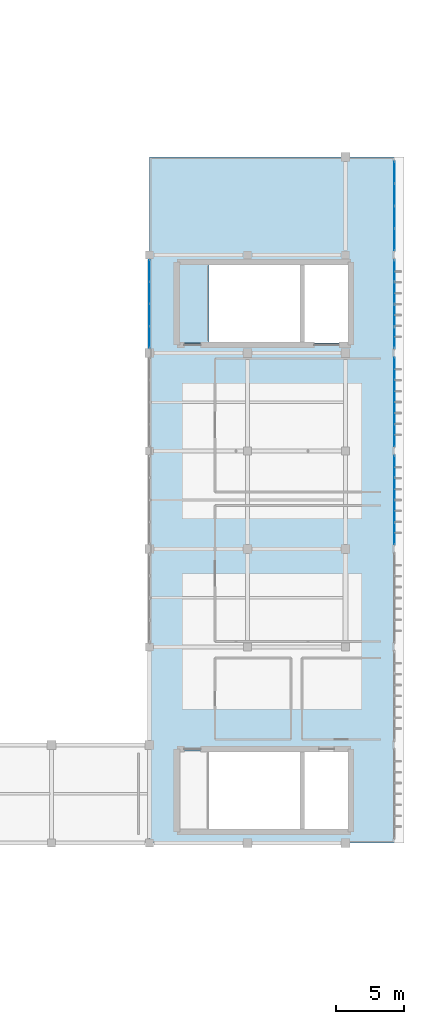
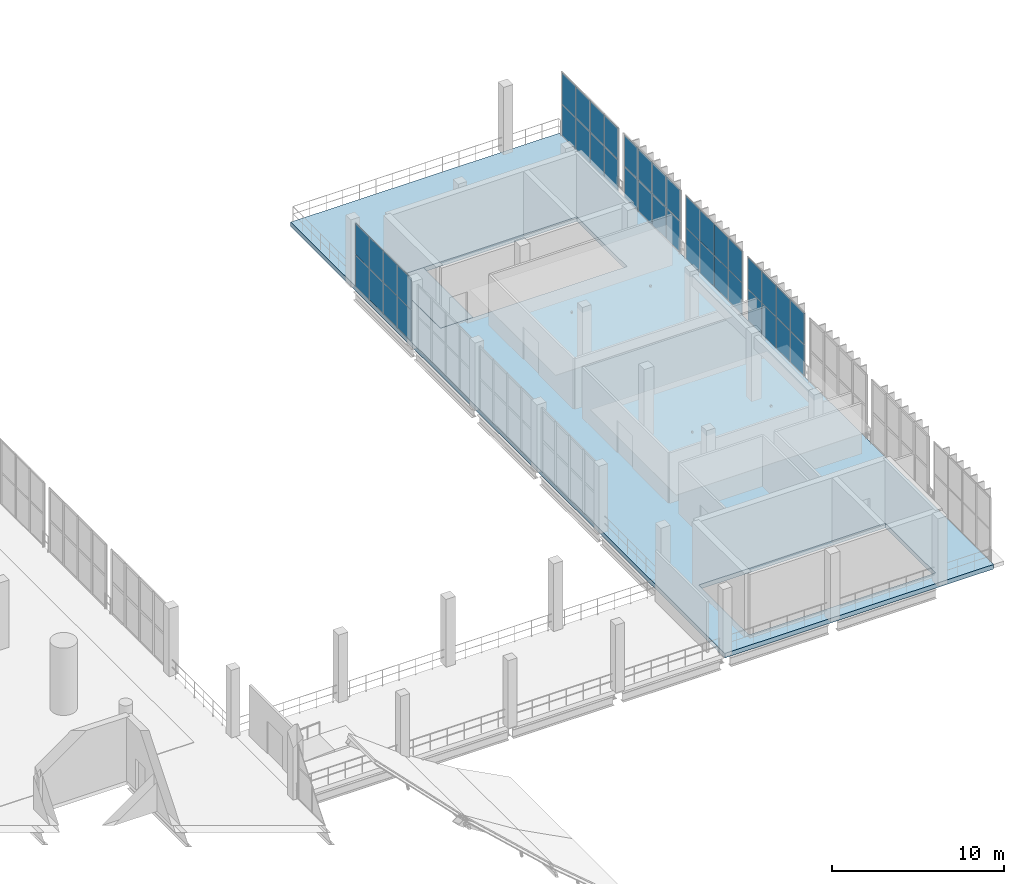
# One storey, part 81 of 105: 40 plates, 2 slabs, 5 elements without a shape of their own.
"""IFC4 building model written with IfcOpenShell, lengths in metres."""

from ifc_helpers import new_model, si_unit, direction, frame, origin, origin_2d, place, context, subcontext, project, spatial, polyline, rectangle, outline, extrude, material, layer, layer_set, type_object, element, aggregate, save


model = new_model("IFC4")

# Units and contexts
model_context = context("Model", 3, precision=1e-05, world=origin(), true_north=direction((0.0, 1.0)))
body_context = subcontext(model_context, "Body", "Model", "MODEL_VIEW")
ifc_project = project(units=[si_unit("LENGTHUNIT", "METRE"), si_unit("AREAUNIT", "SQUARE_METRE"), si_unit("VOLUMEUNIT", "CUBIC_METRE"), si_unit("PLANEANGLEUNIT", "RADIAN"), si_unit("MASSUNIT", "GRAM", prefix="KILO")], contexts=[model_context])

# Site, building, storey
site_placement = place(None, origin())
site = spatial("IfcSite", under=ifc_project, at=site_placement, CompositionType="ELEMENT")
building_placement = place(site_placement, origin())
building = spatial("IfcBuilding", under=site, at=building_placement, Name="Qandorah Velis Arena", CompositionType="ELEMENT")
storey_placement = place(building_placement, frame((0.0, 0.0, 13.800048828125)))
storey = spatial("IfcBuildingStorey", under=building, at=storey_placement, Name="L03", CompositionType="ELEMENT", Elevation=13.800048828125)

# Curtain wall, plates
ifc_material_1 = material(Name="Solar-control low-E double glazing", Category="glass")
curtain_wall_type_1 = type_object("IfcCurtainWallType", Name="ARC-CW-SYS14", PredefinedType="USERDEFINED", material=ifc_material_1)
curtain_wall_1_placement = place(storey_placement, origin())
curtain_wall_1 = element("IfcCurtainWall", 1, at=curtain_wall_1_placement, inside=storey, type_object=curtain_wall_type_1, Name="Unitised curtain wall L03-158", ObjectType="UNITISED CURTAIN WALL", PredefinedType="USERDEFINED")
ifc_layer_1 = layer(ifc_material_1, 0.028076171875)
ifc_layer_set_1 = layer_set([ifc_layer_1], Name="Solar-control low-E double glazing")
plate_type_1 = type_object("IfcPlateType", Name="ARC-CWP-GLZ28", PredefinedType="CURTAIN_PANEL", material=ifc_layer_set_1)
plate_1_placement = place(storey_placement, frame((169.199951171875, 87.541259765625, 0.054931640625), z_axis=(0.0, 0.0, 1.0), x_axis=(0.0, 1.0, 0.0)))
plate_1 = element("IfcPlate", 2, at=plate_1_placement, type_object=plate_type_1, Name="CW14 panel 1.1", PredefinedType="CURTAIN_PANEL", context=body_context, shape_type="SweptSolid", body=[
    extrude(rectangle(XDim=1.572509765625, YDim=0.028076171875, at=origin_2d()), origin(), (0.0, 0.0, 1.0), 2.1875),
])
plate_2_placement = place(storey_placement, frame((169.199951171875, 87.541259765625, 2.287353515625), z_axis=(0.0, 0.0, 1.0), x_axis=(0.0, 1.0, 0.0)))
plate_2 = element("IfcPlate", 3, at=plate_2_placement, type_object=plate_type_1, Name="CW14 panel 1.2", PredefinedType="CURTAIN_PANEL", context=body_context, shape_type="SweptSolid", body=[
    extrude(rectangle(XDim=1.572509765625, YDim=0.028076171875, at=origin_2d()), origin(), (0.0, 0.0, 1.0), 2.1875),
])
plate_3_placement = place(storey_placement, frame((169.199951171875, 89.175048828125, 0.054931640625), z_axis=(0.0, 0.0, 1.0), x_axis=(0.0, 1.0, 0.0)))
plate_3 = element("IfcPlate", 4, at=plate_3_placement, type_object=plate_type_1, Name="CW14 panel 2.1", PredefinedType="CURTAIN_PANEL", context=body_context, shape_type="SweptSolid", body=[
    extrude(rectangle(XDim=1.60498046875, YDim=0.028076171875, at=origin_2d()), origin(), (0.0, 0.0, 1.0), 2.1875),
])
plate_4_placement = place(storey_placement, frame((169.199951171875, 89.175048828125, 2.287353515625), z_axis=(0.0, 0.0, 1.0), x_axis=(0.0, 1.0, 0.0)))
plate_4 = element("IfcPlate", 5, at=plate_4_placement, type_object=plate_type_1, Name="CW14 panel 2.2", PredefinedType="CURTAIN_PANEL", context=body_context, shape_type="SweptSolid", body=[
    extrude(rectangle(XDim=1.60498046875, YDim=0.028076171875, at=origin_2d()), origin(), (0.0, 0.0, 1.0), 2.1875),
])
plate_5_placement = place(storey_placement, frame((169.199951171875, 90.824951171875, 0.054931640625), z_axis=(0.0, 0.0, 1.0), x_axis=(0.0, 1.0, 0.0)))
plate_5 = element("IfcPlate", 6, at=plate_5_placement, type_object=plate_type_1, Name="CW14 panel 3.1", PredefinedType="CURTAIN_PANEL", context=body_context, shape_type="SweptSolid", body=[
    extrude(rectangle(XDim=1.60498046875, YDim=0.028076171875, at=origin_2d()), origin(), (0.0, 0.0, 1.0), 2.1875),
])
plate_6_placement = place(storey_placement, frame((169.199951171875, 90.824951171875, 2.287353515625), z_axis=(0.0, 0.0, 1.0), x_axis=(0.0, 1.0, 0.0)))
plate_6 = element("IfcPlate", 7, at=plate_6_placement, type_object=plate_type_1, Name="CW14 panel 3.2", PredefinedType="CURTAIN_PANEL", context=body_context, shape_type="SweptSolid", body=[
    extrude(rectangle(XDim=1.60498046875, YDim=0.028076171875, at=origin_2d()), origin(), (0.0, 0.0, 1.0), 2.1875),
])
plate_7_placement = place(storey_placement, frame((169.199951171875, 92.458740234375, 0.054931640625), z_axis=(0.0, 0.0, 1.0), x_axis=(0.0, 1.0, 0.0)))
plate_7 = element("IfcPlate", 8, at=plate_7_placement, type_object=plate_type_1, Name="CW14 panel 4.1", PredefinedType="CURTAIN_PANEL", context=body_context, shape_type="SweptSolid", body=[
    extrude(rectangle(XDim=1.572509765625, YDim=0.028076171875, at=origin_2d()), origin(), (0.0, 0.0, 1.0), 2.1875),
])
plate_8_placement = place(storey_placement, frame((169.199951171875, 92.458740234375, 2.287353515625), z_axis=(0.0, 0.0, 1.0), x_axis=(0.0, 1.0, 0.0)))
plate_8 = element("IfcPlate", 9, at=plate_8_placement, type_object=plate_type_1, Name="CW14 panel 4.2", PredefinedType="CURTAIN_PANEL", context=body_context, shape_type="SweptSolid", body=[
    extrude(rectangle(XDim=1.572509765625, YDim=0.028076171875, at=origin_2d()), origin(), (0.0, 0.0, 1.0), 2.1875),
])
aggregate(curtain_wall_1, [plate_1, plate_2, plate_3, plate_4, plate_5, plate_6, plate_7, plate_8])

curtain_wall_type_2 = type_object("IfcCurtainWallType", Name="ARC-CW-SYS12", PredefinedType="USERDEFINED", material=ifc_material_1)
curtain_wall_2_placement = place(storey_placement, origin())
curtain_wall_2 = element("IfcCurtainWall", 10, at=curtain_wall_2_placement, inside=storey, type_object=curtain_wall_type_2, Name="Unitised curtain wall L03-132", ObjectType="UNITISED CURTAIN WALL", PredefinedType="USERDEFINED")
ifc_layer_2 = layer(ifc_material_1, 0.030029296875)
ifc_layer_set_2 = layer_set([ifc_layer_2], Name="Solar-control low-E double glazing")
plate_type_2 = type_object("IfcPlateType", Name="ARC-CWP-GLZ30", PredefinedType="CURTAIN_PANEL", material=ifc_layer_set_2)
plate_9_placement = place(storey_placement, frame((151.199951171875, 80.37939453125, 0.044921875), z_axis=(0.0, 0.0, 1.0), x_axis=(0.0, 1.0, 0.0)))
plate_9 = element("IfcPlate", 11, at=plate_9_placement, type_object=plate_type_2, Name="CW12 panel 1.1", PredefinedType="CURTAIN_PANEL", context=body_context, shape_type="SweptSolid", body=[
    extrude(rectangle(XDim=1.56884765625, YDim=0.030029296875, at=origin_2d()), origin(), (0.0, 0.0, 1.0), 2.202392578125),
])
plate_10_placement = place(storey_placement, frame((151.199951171875, 80.37939453125, 2.28271484375), z_axis=(0.0, 0.0, 1.0), x_axis=(0.0, 1.0, 0.0)))
plate_10 = element("IfcPlate", 12, at=plate_10_placement, type_object=plate_type_2, Name="CW12 panel 1.2", PredefinedType="CURTAIN_PANEL", context=body_context, shape_type="SweptSolid", body=[
    extrude(rectangle(XDim=1.56884765625, YDim=0.030029296875, at=origin_2d()), origin(), (0.0, 0.0, 1.0), 2.202392578125),
])
plate_11_placement = place(storey_placement, frame((151.199951171875, 81.996826171875, 0.044921875), z_axis=(0.0, 0.0, 1.0), x_axis=(0.0, 1.0, 0.0)))
plate_11 = element("IfcPlate", 13, at=plate_11_placement, type_object=plate_type_2, Name="CW12 panel 2.1", PredefinedType="CURTAIN_PANEL", context=body_context, shape_type="SweptSolid", body=[
    extrude(rectangle(XDim=1.59619140625, YDim=0.030029296875, at=origin_2d()), origin(), (0.0, 0.0, 1.0), 2.202392578125),
])
plate_12_placement = place(storey_placement, frame((151.199951171875, 81.996826171875, 2.28271484375), z_axis=(0.0, 0.0, 1.0), x_axis=(0.0, 1.0, 0.0)))
plate_12 = element("IfcPlate", 14, at=plate_12_placement, type_object=plate_type_2, Name="CW12 panel 2.2", PredefinedType="CURTAIN_PANEL", context=body_context, shape_type="SweptSolid", body=[
    extrude(rectangle(XDim=1.59619140625, YDim=0.030029296875, at=origin_2d()), origin(), (0.0, 0.0, 1.0), 2.202392578125),
])
plate_13_placement = place(storey_placement, frame((151.199951171875, 83.628173828125, 0.044921875), z_axis=(0.0, 0.0, 1.0), x_axis=(0.0, 1.0, 0.0)))
plate_13 = element("IfcPlate", 15, at=plate_13_placement, type_object=plate_type_2, Name="CW12 panel 3.1", PredefinedType="CURTAIN_PANEL", context=body_context, shape_type="SweptSolid", body=[
    extrude(rectangle(XDim=1.59619140625, YDim=0.030029296875, at=origin_2d()), origin(), (0.0, 0.0, 1.0), 2.202392578125),
])
plate_14_placement = place(storey_placement, frame((151.199951171875, 83.628173828125, 2.28271484375), z_axis=(0.0, 0.0, 1.0), x_axis=(0.0, 1.0, 0.0)))
plate_14 = element("IfcPlate", 16, at=plate_14_placement, type_object=plate_type_2, Name="CW12 panel 3.2", PredefinedType="CURTAIN_PANEL", context=body_context, shape_type="SweptSolid", body=[
    extrude(rectangle(XDim=1.59619140625, YDim=0.030029296875, at=origin_2d()), origin(), (0.0, 0.0, 1.0), 2.202392578125),
])
plate_15_placement = place(storey_placement, frame((151.199951171875, 85.24560546875, 0.044921875), z_axis=(0.0, 0.0, 1.0), x_axis=(0.0, 1.0, 0.0)))
plate_15 = element("IfcPlate", 17, at=plate_15_placement, type_object=plate_type_2, Name="CW12 panel 4.1", PredefinedType="CURTAIN_PANEL", context=body_context, shape_type="SweptSolid", body=[
    extrude(rectangle(XDim=1.56884765625, YDim=0.030029296875, at=origin_2d()), origin(), (0.0, 0.0, 1.0), 2.202392578125),
])
plate_16_placement = place(storey_placement, frame((151.199951171875, 85.24560546875, 2.28271484375), z_axis=(0.0, 0.0, 1.0), x_axis=(0.0, 1.0, 0.0)))
plate_16 = element("IfcPlate", 18, at=plate_16_placement, type_object=plate_type_2, Name="CW12 panel 4.2", PredefinedType="CURTAIN_PANEL", context=body_context, shape_type="SweptSolid", body=[
    extrude(rectangle(XDim=1.56884765625, YDim=0.030029296875, at=origin_2d()), origin(), (0.0, 0.0, 1.0), 2.202392578125),
])
aggregate(curtain_wall_2, [plate_9, plate_10, plate_11, plate_12, plate_13, plate_14, plate_15, plate_16])

curtain_wall_type_3 = type_object("IfcCurtainWallType", Name="ARC-CW-SYS13", PredefinedType="USERDEFINED", material=ifc_material_1)
curtain_wall_3_placement = place(storey_placement, origin())
curtain_wall_3 = element("IfcCurtainWall", 19, at=curtain_wall_3_placement, inside=storey, type_object=curtain_wall_type_3, Name="Unitised curtain wall L03-157", ObjectType="UNITISED CURTAIN WALL", PredefinedType="USERDEFINED")
plate_17_placement = place(storey_placement, frame((169.199951171875, 80.34375, 0.06494140625), z_axis=(0.0, 0.0, 1.0), x_axis=(0.0, 1.0, 0.0)))
plate_17 = element("IfcPlate", 20, at=plate_17_placement, type_object=plate_type_2, Name="CW13 panel 1.1", PredefinedType="CURTAIN_PANEL", context=body_context, shape_type="SweptSolid", body=[
    extrude(rectangle(XDim=1.5576171875, YDim=0.030029296875, at=origin_2d()), origin(), (0.0, 0.0, 1.0), 2.172607421875),
])
plate_18_placement = place(storey_placement, frame((169.199951171875, 80.34375, 2.29248046875), z_axis=(0.0, 0.0, 1.0), x_axis=(0.0, 1.0, 0.0)))
plate_18 = element("IfcPlate", 21, at=plate_18_placement, type_object=plate_type_2, Name="CW13 panel 1.2", PredefinedType="CURTAIN_PANEL", context=body_context, shape_type="SweptSolid", body=[
    extrude(rectangle(XDim=1.5576171875, YDim=0.030029296875, at=origin_2d()), origin(), (0.0, 0.0, 1.0), 2.172607421875),
])
plate_19_placement = place(storey_placement, frame((169.199951171875, 81.97509765625, 0.06494140625), z_axis=(0.0, 0.0, 1.0), x_axis=(0.0, 1.0, 0.0)))
plate_19 = element("IfcPlate", 22, at=plate_19_placement, type_object=plate_type_2, Name="CW13 panel 2.1", PredefinedType="CURTAIN_PANEL", context=body_context, shape_type="SweptSolid", body=[
    extrude(rectangle(XDim=1.594970703125, YDim=0.030029296875, at=origin_2d()), origin(), (0.0, 0.0, 1.0), 2.172607421875),
])
plate_20_placement = place(storey_placement, frame((169.199951171875, 81.97509765625, 2.29248046875), z_axis=(0.0, 0.0, 1.0), x_axis=(0.0, 1.0, 0.0)))
plate_20 = element("IfcPlate", 23, at=plate_20_placement, type_object=plate_type_2, Name="CW13 panel 2.2", PredefinedType="CURTAIN_PANEL", context=body_context, shape_type="SweptSolid", body=[
    extrude(rectangle(XDim=1.594970703125, YDim=0.030029296875, at=origin_2d()), origin(), (0.0, 0.0, 1.0), 2.172607421875),
])
plate_21_placement = place(storey_placement, frame((169.199951171875, 83.625, 0.06494140625), z_axis=(0.0, 0.0, 1.0), x_axis=(0.0, 1.0, 0.0)))
plate_21 = element("IfcPlate", 24, at=plate_21_placement, type_object=plate_type_2, Name="CW13 panel 3.1", PredefinedType="CURTAIN_PANEL", context=body_context, shape_type="SweptSolid", body=[
    extrude(rectangle(XDim=1.594970703125, YDim=0.030029296875, at=origin_2d()), origin(), (0.0, 0.0, 1.0), 2.172607421875),
])
plate_22_placement = place(storey_placement, frame((169.199951171875, 83.625, 2.29248046875), z_axis=(0.0, 0.0, 1.0), x_axis=(0.0, 1.0, 0.0)))
plate_22 = element("IfcPlate", 25, at=plate_22_placement, type_object=plate_type_2, Name="CW13 panel 3.2", PredefinedType="CURTAIN_PANEL", context=body_context, shape_type="SweptSolid", body=[
    extrude(rectangle(XDim=1.594970703125, YDim=0.030029296875, at=origin_2d()), origin(), (0.0, 0.0, 1.0), 2.172607421875),
])
plate_23_placement = place(storey_placement, frame((169.199951171875, 85.25634765625, 0.06494140625), z_axis=(0.0, 0.0, 1.0), x_axis=(0.0, 1.0, 0.0)))
plate_23 = element("IfcPlate", 26, at=plate_23_placement, type_object=plate_type_2, Name="CW13 panel 4.1", PredefinedType="CURTAIN_PANEL", context=body_context, shape_type="SweptSolid", body=[
    extrude(rectangle(XDim=1.5576171875, YDim=0.030029296875, at=origin_2d()), origin(), (0.0, 0.0, 1.0), 2.172607421875),
])
plate_24_placement = place(storey_placement, frame((169.199951171875, 85.25634765625, 2.29248046875), z_axis=(0.0, 0.0, 1.0), x_axis=(0.0, 1.0, 0.0)))
plate_24 = element("IfcPlate", 27, at=plate_24_placement, type_object=plate_type_2, Name="CW13 panel 4.2", PredefinedType="CURTAIN_PANEL", context=body_context, shape_type="SweptSolid", body=[
    extrude(rectangle(XDim=1.5576171875, YDim=0.030029296875, at=origin_2d()), origin(), (0.0, 0.0, 1.0), 2.172607421875),
])
aggregate(curtain_wall_3, [plate_17, plate_18, plate_19, plate_20, plate_21, plate_22, plate_23, plate_24])

curtain_wall_4_placement = place(storey_placement, origin())
curtain_wall_4 = element("IfcCurtainWall", 28, at=curtain_wall_4_placement, inside=storey, type_object=curtain_wall_type_2, Name="Unitised curtain wall L03-156", ObjectType="UNITISED CURTAIN WALL", PredefinedType="USERDEFINED")
ifc_layer_3 = layer(ifc_material_1, 0.035888671875)
ifc_layer_set_3 = layer_set([ifc_layer_3], Name="Solar-control low-E double glazing")
plate_type_3 = type_object("IfcPlateType", Name="ARC-CWP-GLZ36", PredefinedType="CURTAIN_PANEL", material=ifc_layer_set_3)
plate_25_placement = place(storey_placement, frame((169.199951171875, 73.138671875, 0.044921875), z_axis=(0.0, 0.0, 1.0), x_axis=(0.0, 1.0, 0.0)))
plate_25 = element("IfcPlate", 29, at=plate_25_placement, type_object=plate_type_3, Name="CW12 panel 1.1", PredefinedType="CURTAIN_PANEL", context=body_context, shape_type="SweptSolid", body=[
    extrude(rectangle(XDim=1.58740234375, YDim=0.035888671875, at=origin_2d()), origin(), (0.0, 0.0, 1.0), 2.202392578125),
])
plate_26_placement = place(storey_placement, frame((169.199951171875, 73.138671875, 2.28271484375), z_axis=(0.0, 0.0, 1.0), x_axis=(0.0, 1.0, 0.0)))
plate_26 = element("IfcPlate", 30, at=plate_26_placement, type_object=plate_type_3, Name="CW12 panel 1.2", PredefinedType="CURTAIN_PANEL", context=body_context, shape_type="SweptSolid", body=[
    extrude(rectangle(XDim=1.58740234375, YDim=0.035888671875, at=origin_2d()), origin(), (0.0, 0.0, 1.0), 2.202392578125),
])
plate_27_placement = place(storey_placement, frame((169.199951171875, 74.77490234375, 0.044921875), z_axis=(0.0, 0.0, 1.0), x_axis=(0.0, 1.0, 0.0)))
plate_27 = element("IfcPlate", 31, at=plate_27_placement, type_object=plate_type_3, Name="CW12 panel 2.1", PredefinedType="CURTAIN_PANEL", context=body_context, shape_type="SweptSolid", body=[
    extrude(rectangle(XDim=1.614990234375, YDim=0.035888671875, at=origin_2d()), origin(), (0.0, 0.0, 1.0), 2.202392578125),
])
plate_28_placement = place(storey_placement, frame((169.199951171875, 74.77490234375, 2.28271484375), z_axis=(0.0, 0.0, 1.0), x_axis=(0.0, 1.0, 0.0)))
plate_28 = element("IfcPlate", 32, at=plate_28_placement, type_object=plate_type_3, Name="CW12 panel 2.2", PredefinedType="CURTAIN_PANEL", context=body_context, shape_type="SweptSolid", body=[
    extrude(rectangle(XDim=1.614990234375, YDim=0.035888671875, at=origin_2d()), origin(), (0.0, 0.0, 1.0), 2.202392578125),
])
plate_29_placement = place(storey_placement, frame((169.199951171875, 76.425048828125, 0.044921875), z_axis=(0.0, 0.0, 1.0), x_axis=(0.0, 1.0, 0.0)))
plate_29 = element("IfcPlate", 33, at=plate_29_placement, type_object=plate_type_3, Name="CW12 panel 3.1", PredefinedType="CURTAIN_PANEL", context=body_context, shape_type="SweptSolid", body=[
    extrude(rectangle(XDim=1.614990234375, YDim=0.035888671875, at=origin_2d()), origin(), (0.0, 0.0, 1.0), 2.202392578125),
])
plate_30_placement = place(storey_placement, frame((169.199951171875, 76.425048828125, 2.28271484375), z_axis=(0.0, 0.0, 1.0), x_axis=(0.0, 1.0, 0.0)))
plate_30 = element("IfcPlate", 34, at=plate_30_placement, type_object=plate_type_3, Name="CW12 panel 3.2", PredefinedType="CURTAIN_PANEL", context=body_context, shape_type="SweptSolid", body=[
    extrude(rectangle(XDim=1.614990234375, YDim=0.035888671875, at=origin_2d()), origin(), (0.0, 0.0, 1.0), 2.202392578125),
])
plate_31_placement = place(storey_placement, frame((169.199951171875, 78.061279296875, 0.044921875), z_axis=(0.0, 0.0, 1.0), x_axis=(0.0, 1.0, 0.0)))
plate_31 = element("IfcPlate", 35, at=plate_31_placement, type_object=plate_type_3, Name="CW12 panel 4.1", PredefinedType="CURTAIN_PANEL", context=body_context, shape_type="SweptSolid", body=[
    extrude(rectangle(XDim=1.58740234375, YDim=0.035888671875, at=origin_2d()), origin(), (0.0, 0.0, 1.0), 2.202392578125),
])
plate_32_placement = place(storey_placement, frame((169.199951171875, 78.061279296875, 2.28271484375), z_axis=(0.0, 0.0, 1.0), x_axis=(0.0, 1.0, 0.0)))
plate_32 = element("IfcPlate", 36, at=plate_32_placement, type_object=plate_type_3, Name="CW12 panel 4.2", PredefinedType="CURTAIN_PANEL", context=body_context, shape_type="SweptSolid", body=[
    extrude(rectangle(XDim=1.58740234375, YDim=0.035888671875, at=origin_2d()), origin(), (0.0, 0.0, 1.0), 2.202392578125),
])
aggregate(curtain_wall_4, [plate_25, plate_26, plate_27, plate_28, plate_29, plate_30, plate_31, plate_32])

curtain_wall_type_4 = type_object("IfcCurtainWallType", Name="ARC-CW-SYS11", PredefinedType="USERDEFINED", material=ifc_material_1)
curtain_wall_5_placement = place(storey_placement, origin())
curtain_wall_5 = element("IfcCurtainWall", 37, at=curtain_wall_5_placement, inside=storey, type_object=curtain_wall_type_4, Name="Unitised curtain wall L03-155", ObjectType="UNITISED CURTAIN WALL", PredefinedType="USERDEFINED")
ifc_layer_4 = layer(ifc_material_1, 0.0439453125)
ifc_layer_set_4 = layer_set([ifc_layer_4], Name="Solar-control low-E double glazing")
plate_type_4 = type_object("IfcPlateType", Name="ARC-CWP-SPN44", PredefinedType="CURTAIN_PANEL", material=ifc_layer_set_4)
plate_33_placement = place(storey_placement, frame((169.199951171875, 65.93994140625, 0.0498046875), z_axis=(0.0, 0.0, 1.0), x_axis=(0.0, 1.0, 0.0)))
plate_33 = element("IfcPlate", 38, at=plate_33_placement, type_object=plate_type_4, Name="CW11 panel 1.1", PredefinedType="CURTAIN_PANEL", context=body_context, shape_type="SweptSolid", body=[
    extrude(rectangle(XDim=1.580078125, YDim=0.0439453125, at=origin_2d()), origin(), (0.0, 0.0, 1.0), 2.195068359375),
])
plate_34_placement = place(storey_placement, frame((169.199951171875, 65.93994140625, 2.28515625), z_axis=(0.0, 0.0, 1.0), x_axis=(0.0, 1.0, 0.0)))
plate_34 = element("IfcPlate", 39, at=plate_34_placement, type_object=plate_type_4, Name="CW11 panel 1.2", PredefinedType="CURTAIN_PANEL", context=body_context, shape_type="SweptSolid", body=[
    extrude(rectangle(XDim=1.580078125, YDim=0.0439453125, at=origin_2d()), origin(), (0.0, 0.0, 1.0), 2.195068359375),
])
plate_35_placement = place(storey_placement, frame((169.199951171875, 67.574951171875, 0.0498046875), z_axis=(0.0, 0.0, 1.0), x_axis=(0.0, 1.0, 0.0)))
plate_35 = element("IfcPlate", 40, at=plate_35_placement, type_object=plate_type_4, Name="CW11 panel 2.1", PredefinedType="CURTAIN_PANEL", context=body_context, shape_type="SweptSolid", body=[
    extrude(rectangle(XDim=1.610107421875, YDim=0.0439453125, at=origin_2d()), origin(), (0.0, 0.0, 1.0), 2.195068359375),
])
plate_36_placement = place(storey_placement, frame((169.199951171875, 67.574951171875, 2.28515625), z_axis=(0.0, 0.0, 1.0), x_axis=(0.0, 1.0, 0.0)))
plate_36 = element("IfcPlate", 41, at=plate_36_placement, type_object=plate_type_4, Name="CW11 panel 2.2", PredefinedType="CURTAIN_PANEL", context=body_context, shape_type="SweptSolid", body=[
    extrude(rectangle(XDim=1.610107421875, YDim=0.0439453125, at=origin_2d()), origin(), (0.0, 0.0, 1.0), 2.195068359375),
])
plate_37_placement = place(storey_placement, frame((169.199951171875, 69.22509765625, 0.0498046875), z_axis=(0.0, 0.0, 1.0), x_axis=(0.0, 1.0, 0.0)))
plate_37 = element("IfcPlate", 42, at=plate_37_placement, type_object=plate_type_4, Name="CW11 panel 3.1", PredefinedType="CURTAIN_PANEL", context=body_context, shape_type="SweptSolid", body=[
    extrude(rectangle(XDim=1.610107421875, YDim=0.0439453125, at=origin_2d()), origin(), (0.0, 0.0, 1.0), 2.195068359375),
])
plate_38_placement = place(storey_placement, frame((169.199951171875, 69.22509765625, 2.28515625), z_axis=(0.0, 0.0, 1.0), x_axis=(0.0, 1.0, 0.0)))
plate_38 = element("IfcPlate", 43, at=plate_38_placement, type_object=plate_type_4, Name="CW11 panel 3.2", PredefinedType="CURTAIN_PANEL", context=body_context, shape_type="SweptSolid", body=[
    extrude(rectangle(XDim=1.610107421875, YDim=0.0439453125, at=origin_2d()), origin(), (0.0, 0.0, 1.0), 2.195068359375),
])
plate_39_placement = place(storey_placement, frame((169.199951171875, 70.860107421875, 0.0498046875), z_axis=(0.0, 0.0, 1.0), x_axis=(0.0, 1.0, 0.0)))
plate_39 = element("IfcPlate", 44, at=plate_39_placement, type_object=plate_type_4, Name="CW11 panel 4.1", PredefinedType="CURTAIN_PANEL", context=body_context, shape_type="SweptSolid", body=[
    extrude(rectangle(XDim=1.580078125, YDim=0.0439453125, at=origin_2d()), origin(), (0.0, 0.0, 1.0), 2.195068359375),
])
plate_40_placement = place(storey_placement, frame((169.199951171875, 70.860107421875, 2.28515625), z_axis=(0.0, 0.0, 1.0), x_axis=(0.0, 1.0, 0.0)))
plate_40 = element("IfcPlate", 45, at=plate_40_placement, type_object=plate_type_4, Name="CW11 panel 4.2", PredefinedType="CURTAIN_PANEL", context=body_context, shape_type="SweptSolid", body=[
    extrude(rectangle(XDim=1.580078125, YDim=0.0439453125, at=origin_2d()), origin(), (0.0, 0.0, 1.0), 2.195068359375),
])
aggregate(curtain_wall_5, [plate_33, plate_34, plate_35, plate_36, plate_37, plate_38, plate_39, plate_40])

# Slabs
ifc_material_2 = material(Name="Concrete C40/50", Category="concrete")
ifc_layer_5 = layer(ifc_material_2, 0.320068359375)
ifc_layer_set_5 = layer_set([ifc_layer_5], Name="Concrete C40/50")
slab_type_1 = type_object("IfcSlabType", Name="STR-SLB-FL320", PredefinedType="FLOOR", material=ifc_layer_set_5)
slab_1_placement = place(storey_placement, frame((0.0, 0.0, -0.320068359375)))
element("IfcSlab", 46, at=slab_1_placement, inside=storey, type_object=slab_type_1, Name="Structural floor slab L03_OASIS_CROWN", PredefinedType="FLOOR", context=body_context, shape_type="SweptSolid", body=[
    extrude(outline(polyline([(169.199951171875, 43.199951171875), (151.199951171875, 43.199951171875), (151.199951171875, 93.60009765625), (169.199951171875, 93.60009765625), (169.199951171875, 43.199951171875)]), holes=[polyline([(155.554931640625, 44.14501953125), (165.85498046875, 44.14501953125), (165.85498046875, 49.955078125), (155.554931640625, 49.955078125), (153.344970703125, 49.955078125), (153.344970703125, 44.14501953125), (155.554931640625, 44.14501953125)]), polyline([(153.344970703125, 79.945068359375), (155.554931640625, 79.945068359375), (165.85498046875, 79.945068359375), (165.85498046875, 85.7548828125), (153.344970703125, 85.7548828125), (153.344970703125, 85.7548828125), (153.344970703125, 79.945068359375)])]), origin(), (0.0, 0.0, 1.0), 0.320068359375),
])
ifc_layer_6 = layer(ifc_material_2, 0.219970703125)
ifc_layer_set_6 = layer_set([ifc_layer_6], Name="Concrete C40/50")
slab_type_2 = type_object("IfcSlabType", Name="STR-SLB-LND220", PredefinedType="LANDING", material=ifc_layer_set_6)
slab_2_placement = place(storey_placement, frame((0.0, 0.0, -0.219970703125)))
element("IfcSlab", 47, at=slab_2_placement, inside=storey, type_object=slab_type_2, Name="Stair ST8 storey landing slab L03", PredefinedType="LANDING", context=body_context, shape_type="SweptSolid", body=[
    extrude(outline(polyline([(153.35009765625, 79.949951171875), (155.550048828125, 79.949951171875), (155.550048828125, 85.75), (153.35009765625, 85.75), (153.35009765625, 79.949951171875)])), origin(), (0.0, 0.0, 1.0), 0.219970703125),
])

save(model, "model.ifc")
